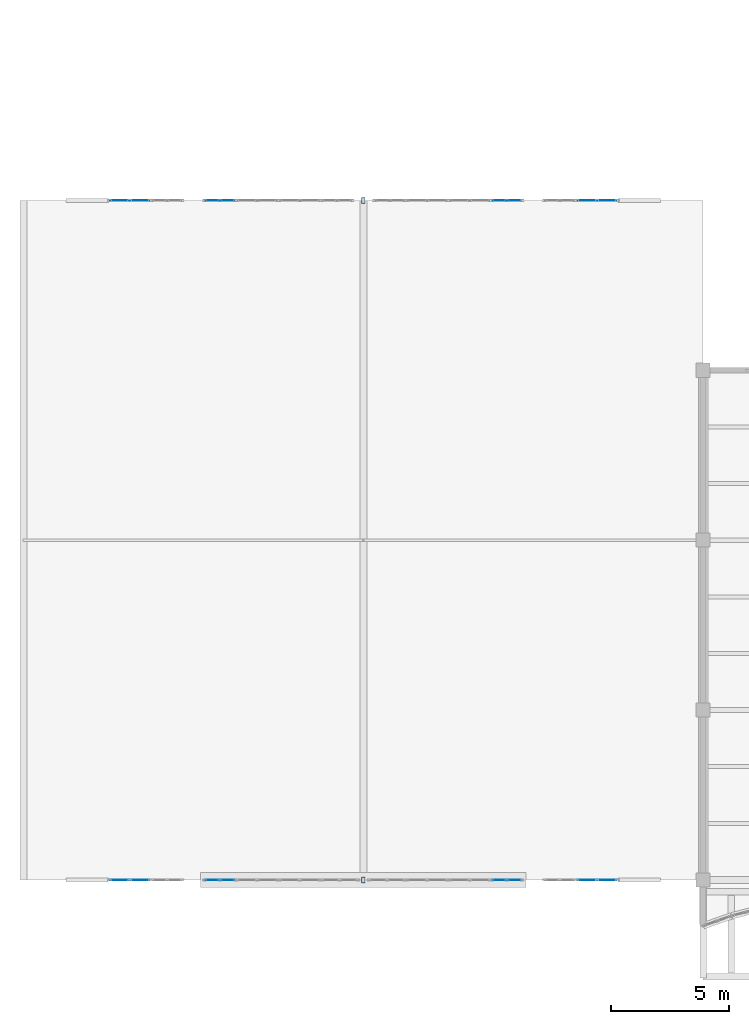
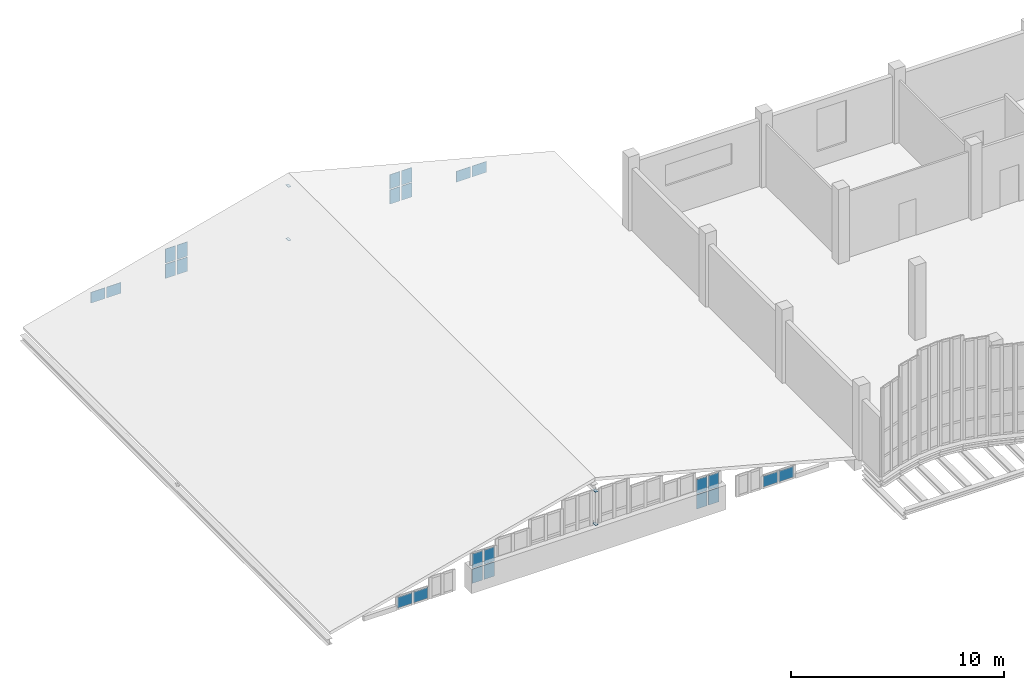
# One storey, part 62 of 76: 28 plates, 8 elements without a shape of their own.
"""IFC4 building model written with IfcOpenShell, lengths in metres."""

from ifc_helpers import new_model, si_unit, direction, frame, origin, origin_2d, place, context, subcontext, project, spatial, rectangle, extrude, material, layer, layer_set, type_object, element, aggregate, save


model = new_model("IFC4")

# Units and contexts
model_context = context("Model", 3, precision=1e-05, world=origin(), true_north=direction((0.0, 1.0)))
body_context = subcontext(model_context, "Body", "Model", "MODEL_VIEW")
ifc_project = project(units=[si_unit("LENGTHUNIT", "METRE"), si_unit("AREAUNIT", "SQUARE_METRE"), si_unit("VOLUMEUNIT", "CUBIC_METRE"), si_unit("PLANEANGLEUNIT", "RADIAN"), si_unit("MASSUNIT", "GRAM", prefix="KILO"), si_unit("THERMODYNAMICTEMPERATUREUNIT", "KELVIN"), si_unit("POWERUNIT", "WATT")], contexts=[model_context])

# Site, building, storey
site_placement = place(None, origin())
site = spatial("IfcSite", under=ifc_project, at=site_placement, CompositionType="ELEMENT")
building_placement = place(site_placement, origin())
building = spatial("IfcBuilding", under=site, at=building_placement, Name="Kaldorven Railside Theatre", CompositionType="ELEMENT")
storey_placement = place(building_placement, frame((0.0, 0.0, 14.39990234375)))
storey = spatial("IfcBuildingStorey", under=building, at=storey_placement, Name="L03", CompositionType="ELEMENT", Elevation=14.39990234375)

# Curtain wall, plates
ifc_material_1 = material(Name="Low-E laminated solar-control glass", Category="glass")
ifc_layer_1 = layer(ifc_material_1, 0.159912109375, Name="Low-E laminated solar-control glass")
ifc_layer_set_1 = layer_set([ifc_layer_1], Name="Low-E laminated solar-control glass")
curtain_wall_type_1 = type_object("IfcCurtainWallType", Name="CWT-60", PredefinedType="USERDEFINED", material=ifc_layer_set_1)
curtain_wall_1_placement = place(storey_placement, origin())
curtain_wall_1 = element("IfcCurtainWall", 1, at=curtain_wall_1_placement, inside=storey, type_object=curtain_wall_type_1, Name="Studio South Gable Clerestory CWG-112", ObjectType="FLUTED GLAZING", PredefinedType="USERDEFINED")
ifc_layer_2 = layer(ifc_material_1, 0.028076171875, Name="Low-E laminated solar-control glass")
ifc_layer_set_2 = layer_set([ifc_layer_2], Name="Low-E laminated solar-control glass")
plate_type_1 = type_object("IfcPlateType", Name="CWP-GLZ28", PredefinedType="CURTAIN_PANEL", material=ifc_layer_set_2)
plate_1_placement = place(storey_placement, frame((12.070068359375, 19.199951171875, 0.080078125), z_axis=(0.0, 0.0, 1.0), x_axis=(1.0, 0.0, 0.0)))
plate_1 = element("IfcPlate", 2, at=plate_1_placement, type_object=plate_type_1, Name="CWG-112 panel 1.1", PredefinedType="CURTAIN_PANEL", context=body_context, shape_type="SweptSolid", body=[
    extrude(rectangle(XDim=0.780029296875, YDim=0.028076171875, at=origin_2d()), origin(), (0.0, 0.0, 1.0), 0.6201171875),
])
plate_2_placement = place(storey_placement, frame((12.929931640625, 19.199951171875, 0.080078125), z_axis=(0.0, 0.0, 1.0), x_axis=(1.0, 0.0, 0.0)))
plate_2 = element("IfcPlate", 3, at=plate_2_placement, type_object=plate_type_1, Name="CWG-112 panel 2.1", PredefinedType="CURTAIN_PANEL", context=body_context, shape_type="SweptSolid", body=[
    extrude(rectangle(XDim=0.780029296875, YDim=0.028076171875, at=origin_2d()), origin(), (0.0, 0.0, 1.0), 0.6201171875),
])
aggregate(curtain_wall_1, [plate_1, plate_2])

ifc_layer_3 = layer(ifc_material_1, 0.159912109375, Name="Low-E laminated solar-control glass")
ifc_layer_set_3 = layer_set([ifc_layer_3], Name="Low-E laminated solar-control glass")
curtain_wall_type_2 = type_object("IfcCurtainWallType", Name="CWT-62", PredefinedType="USERDEFINED", material=ifc_layer_set_3)
curtain_wall_2_placement = place(storey_placement, origin())
curtain_wall_2 = element("IfcCurtainWall", 4, at=curtain_wall_2_placement, inside=storey, type_object=curtain_wall_type_2, Name="Studio South Gable Clerestory CWG-114", ObjectType="FLUTED GLAZING", PredefinedType="USERDEFINED")
plate_3_placement = place(storey_placement, frame((16.0, 19.199951171875, 0.080078125), z_axis=(0.0, 0.0, 1.0), x_axis=(1.0, 0.0, 0.0)))
plate_3 = element("IfcPlate", 5, at=plate_3_placement, type_object=plate_type_1, Name="CWG-114 panel 1.1", PredefinedType="CURTAIN_PANEL", context=body_context, shape_type="SweptSolid", body=[
    extrude(rectangle(XDim=0.56005859375, YDim=0.028076171875, at=origin_2d()), origin(), (0.0, 0.0, 1.0), 0.81494140625),
])
plate_4_placement = place(storey_placement, frame((16.0, 19.199951171875, 0.955078125), z_axis=(0.0, 0.0, 1.0), x_axis=(1.0, 0.0, 0.0)))
plate_4 = element("IfcPlate", 6, at=plate_4_placement, type_object=plate_type_1, Name="CWG-114 panel 1.2", PredefinedType="CURTAIN_PANEL", context=body_context, shape_type="SweptSolid", body=[
    extrude(rectangle(XDim=0.56005859375, YDim=0.028076171875, at=origin_2d()), origin(), (0.0, 0.0, 1.0), 0.81494140625),
])
plate_5_placement = place(storey_placement, frame((16.639892578125, 19.199951171875, 0.080078125), z_axis=(0.0, 0.0, 1.0), x_axis=(1.0, 0.0, 0.0)))
plate_5 = element("IfcPlate", 7, at=plate_5_placement, type_object=plate_type_1, Name="CWG-114 panel 2.1", PredefinedType="CURTAIN_PANEL", context=body_context, shape_type="SweptSolid", body=[
    extrude(rectangle(XDim=0.56005859375, YDim=0.028076171875, at=origin_2d()), origin(), (0.0, 0.0, 1.0), 0.81494140625),
])
plate_6_placement = place(storey_placement, frame((16.639892578125, 19.199951171875, 0.955078125), z_axis=(0.0, 0.0, 1.0), x_axis=(1.0, 0.0, 0.0)))
plate_6 = element("IfcPlate", 8, at=plate_6_placement, type_object=plate_type_1, Name="CWG-114 panel 2.2", PredefinedType="CURTAIN_PANEL", context=body_context, shape_type="SweptSolid", body=[
    extrude(rectangle(XDim=0.56005859375, YDim=0.028076171875, at=origin_2d()), origin(), (0.0, 0.0, 1.0), 0.81494140625),
])
aggregate(curtain_wall_2, [plate_3, plate_4, plate_5, plate_6])

curtain_wall_3_placement = place(storey_placement, origin())
curtain_wall_3 = element("IfcCurtainWall", 9, at=curtain_wall_3_placement, inside=storey, type_object=curtain_wall_type_2, Name="Studio South Gable Clerestory CWG-121", ObjectType="FLUTED GLAZING", PredefinedType="USERDEFINED")
plate_7_placement = place(storey_placement, frame((28.159912109375, 19.199951171875, 0.080078125), z_axis=(0.0, 0.0, 1.0), x_axis=(1.0, 0.0, 0.0)))
plate_7 = element("IfcPlate", 10, at=plate_7_placement, type_object=plate_type_1, Name="CWG-121 panel 1.1", PredefinedType="CURTAIN_PANEL", context=body_context, shape_type="SweptSolid", body=[
    extrude(rectangle(XDim=0.56005859375, YDim=0.028076171875, at=origin_2d()), origin(), (0.0, 0.0, 1.0), 0.81494140625),
])
plate_8_placement = place(storey_placement, frame((28.159912109375, 19.199951171875, 0.955078125), z_axis=(0.0, 0.0, 1.0), x_axis=(1.0, 0.0, 0.0)))
plate_8 = element("IfcPlate", 11, at=plate_8_placement, type_object=plate_type_1, Name="CWG-121 panel 1.2", PredefinedType="CURTAIN_PANEL", context=body_context, shape_type="SweptSolid", body=[
    extrude(rectangle(XDim=0.56005859375, YDim=0.028076171875, at=origin_2d()), origin(), (0.0, 0.0, 1.0), 0.81494140625),
])
plate_9_placement = place(storey_placement, frame((28.800048828125, 19.199951171875, 0.080078125), z_axis=(0.0, 0.0, 1.0), x_axis=(1.0, 0.0, 0.0)))
plate_9 = element("IfcPlate", 12, at=plate_9_placement, type_object=plate_type_1, Name="CWG-121 panel 2.1", PredefinedType="CURTAIN_PANEL", context=body_context, shape_type="SweptSolid", body=[
    extrude(rectangle(XDim=0.56005859375, YDim=0.028076171875, at=origin_2d()), origin(), (0.0, 0.0, 1.0), 0.81494140625),
])
plate_10_placement = place(storey_placement, frame((28.800048828125, 19.199951171875, 0.955078125), z_axis=(0.0, 0.0, 1.0), x_axis=(1.0, 0.0, 0.0)))
plate_10 = element("IfcPlate", 13, at=plate_10_placement, type_object=plate_type_1, Name="CWG-121 panel 2.2", PredefinedType="CURTAIN_PANEL", context=body_context, shape_type="SweptSolid", body=[
    extrude(rectangle(XDim=0.56005859375, YDim=0.028076171875, at=origin_2d()), origin(), (0.0, 0.0, 1.0), 0.81494140625),
])
aggregate(curtain_wall_3, [plate_7, plate_8, plate_9, plate_10])

curtain_wall_4_placement = place(storey_placement, origin())
curtain_wall_4 = element("IfcCurtainWall", 14, at=curtain_wall_4_placement, inside=storey, type_object=curtain_wall_type_1, Name="Studio South Gable Clerestory CWG-123", ObjectType="FLUTED GLAZING", PredefinedType="USERDEFINED")
plate_11_placement = place(storey_placement, frame((31.8701171875, 19.199951171875, 0.080078125), z_axis=(0.0, 0.0, 1.0), x_axis=(1.0, 0.0, 0.0)))
plate_11 = element("IfcPlate", 15, at=plate_11_placement, type_object=plate_type_1, Name="CWG-123 panel 1.1", PredefinedType="CURTAIN_PANEL", context=body_context, shape_type="SweptSolid", body=[
    extrude(rectangle(XDim=0.780029296875, YDim=0.028076171875, at=origin_2d()), origin(), (0.0, 0.0, 1.0), 0.6201171875),
])
plate_12_placement = place(storey_placement, frame((32.72998046875, 19.199951171875, 0.080078125), z_axis=(0.0, 0.0, 1.0), x_axis=(1.0, 0.0, 0.0)))
plate_12 = element("IfcPlate", 16, at=plate_12_placement, type_object=plate_type_1, Name="CWG-123 panel 2.1", PredefinedType="CURTAIN_PANEL", context=body_context, shape_type="SweptSolid", body=[
    extrude(rectangle(XDim=0.780029296875, YDim=0.028076171875, at=origin_2d()), origin(), (0.0, 0.0, 1.0), 0.6201171875),
])
aggregate(curtain_wall_4, [plate_11, plate_12])

curtain_wall_5_placement = place(storey_placement, origin())
curtain_wall_5 = element("IfcCurtainWall", 17, at=curtain_wall_5_placement, inside=storey, type_object=curtain_wall_type_1, Name="Studio North Gable Clerestory CWG-126", ObjectType="FLUTED GLAZING", PredefinedType="USERDEFINED")
plate_13_placement = place(storey_placement, frame((12.070068359375, 48.0, 0.080078125), z_axis=(0.0, 0.0, 1.0), x_axis=(1.0, 0.0, 0.0)))
plate_13 = element("IfcPlate", 18, at=plate_13_placement, type_object=plate_type_1, Name="CWG-126 panel 1.1", PredefinedType="CURTAIN_PANEL", context=body_context, shape_type="SweptSolid", body=[
    extrude(rectangle(XDim=0.780029296875, YDim=0.028076171875, at=origin_2d()), origin(), (0.0, 0.0, 1.0), 0.6201171875),
])
plate_14_placement = place(storey_placement, frame((12.929931640625, 48.0, 0.080078125), z_axis=(0.0, 0.0, 1.0), x_axis=(1.0, 0.0, 0.0)))
plate_14 = element("IfcPlate", 19, at=plate_14_placement, type_object=plate_type_1, Name="CWG-126 panel 2.1", PredefinedType="CURTAIN_PANEL", context=body_context, shape_type="SweptSolid", body=[
    extrude(rectangle(XDim=0.780029296875, YDim=0.028076171875, at=origin_2d()), origin(), (0.0, 0.0, 1.0), 0.6201171875),
])
aggregate(curtain_wall_5, [plate_13, plate_14])

curtain_wall_6_placement = place(storey_placement, origin())
curtain_wall_6 = element("IfcCurtainWall", 20, at=curtain_wall_6_placement, inside=storey, type_object=curtain_wall_type_2, Name="Studio North Gable Clerestory CWG-128", ObjectType="FLUTED GLAZING", PredefinedType="USERDEFINED")
plate_15_placement = place(storey_placement, frame((16.0, 48.0, 0.080078125), z_axis=(0.0, 0.0, 1.0), x_axis=(1.0, 0.0, 0.0)))
plate_15 = element("IfcPlate", 21, at=plate_15_placement, type_object=plate_type_1, Name="CWG-128 panel 1.1", PredefinedType="CURTAIN_PANEL", context=body_context, shape_type="SweptSolid", body=[
    extrude(rectangle(XDim=0.56005859375, YDim=0.028076171875, at=origin_2d()), origin(), (0.0, 0.0, 1.0), 0.81494140625),
])
plate_16_placement = place(storey_placement, frame((16.0, 48.0, 0.955078125), z_axis=(0.0, 0.0, 1.0), x_axis=(1.0, 0.0, 0.0)))
plate_16 = element("IfcPlate", 22, at=plate_16_placement, type_object=plate_type_1, Name="CWG-128 panel 1.2", PredefinedType="CURTAIN_PANEL", context=body_context, shape_type="SweptSolid", body=[
    extrude(rectangle(XDim=0.56005859375, YDim=0.028076171875, at=origin_2d()), origin(), (0.0, 0.0, 1.0), 0.81494140625),
])
plate_17_placement = place(storey_placement, frame((16.639892578125, 48.0, 0.080078125), z_axis=(0.0, 0.0, 1.0), x_axis=(1.0, 0.0, 0.0)))
plate_17 = element("IfcPlate", 23, at=plate_17_placement, type_object=plate_type_1, Name="CWG-128 panel 2.1", PredefinedType="CURTAIN_PANEL", context=body_context, shape_type="SweptSolid", body=[
    extrude(rectangle(XDim=0.56005859375, YDim=0.028076171875, at=origin_2d()), origin(), (0.0, 0.0, 1.0), 0.81494140625),
])
plate_18_placement = place(storey_placement, frame((16.639892578125, 48.0, 0.955078125), z_axis=(0.0, 0.0, 1.0), x_axis=(1.0, 0.0, 0.0)))
plate_18 = element("IfcPlate", 24, at=plate_18_placement, type_object=plate_type_1, Name="CWG-128 panel 2.2", PredefinedType="CURTAIN_PANEL", context=body_context, shape_type="SweptSolid", body=[
    extrude(rectangle(XDim=0.56005859375, YDim=0.028076171875, at=origin_2d()), origin(), (0.0, 0.0, 1.0), 0.81494140625),
])
aggregate(curtain_wall_6, [plate_15, plate_16, plate_17, plate_18])

curtain_wall_7_placement = place(storey_placement, origin())
curtain_wall_7 = element("IfcCurtainWall", 25, at=curtain_wall_7_placement, inside=storey, type_object=curtain_wall_type_2, Name="Studio North Gable Clerestory CWG-135", ObjectType="FLUTED GLAZING", PredefinedType="USERDEFINED")
plate_19_placement = place(storey_placement, frame((28.159912109375, 48.0, 0.080078125), z_axis=(0.0, 0.0, 1.0), x_axis=(1.0, 0.0, 0.0)))
plate_19 = element("IfcPlate", 26, at=plate_19_placement, type_object=plate_type_1, Name="CWG-135 panel 1.1", PredefinedType="CURTAIN_PANEL", context=body_context, shape_type="SweptSolid", body=[
    extrude(rectangle(XDim=0.56005859375, YDim=0.028076171875, at=origin_2d()), origin(), (0.0, 0.0, 1.0), 0.81494140625),
])
plate_20_placement = place(storey_placement, frame((28.159912109375, 48.0, 0.955078125), z_axis=(0.0, 0.0, 1.0), x_axis=(1.0, 0.0, 0.0)))
plate_20 = element("IfcPlate", 27, at=plate_20_placement, type_object=plate_type_1, Name="CWG-135 panel 1.2", PredefinedType="CURTAIN_PANEL", context=body_context, shape_type="SweptSolid", body=[
    extrude(rectangle(XDim=0.56005859375, YDim=0.028076171875, at=origin_2d()), origin(), (0.0, 0.0, 1.0), 0.81494140625),
])
plate_21_placement = place(storey_placement, frame((28.800048828125, 48.0, 0.080078125), z_axis=(0.0, 0.0, 1.0), x_axis=(1.0, 0.0, 0.0)))
plate_21 = element("IfcPlate", 28, at=plate_21_placement, type_object=plate_type_1, Name="CWG-135 panel 2.1", PredefinedType="CURTAIN_PANEL", context=body_context, shape_type="SweptSolid", body=[
    extrude(rectangle(XDim=0.56005859375, YDim=0.028076171875, at=origin_2d()), origin(), (0.0, 0.0, 1.0), 0.81494140625),
])
plate_22_placement = place(storey_placement, frame((28.800048828125, 48.0, 0.955078125), z_axis=(0.0, 0.0, 1.0), x_axis=(1.0, 0.0, 0.0)))
plate_22 = element("IfcPlate", 29, at=plate_22_placement, type_object=plate_type_1, Name="CWG-135 panel 2.2", PredefinedType="CURTAIN_PANEL", context=body_context, shape_type="SweptSolid", body=[
    extrude(rectangle(XDim=0.56005859375, YDim=0.028076171875, at=origin_2d()), origin(), (0.0, 0.0, 1.0), 0.81494140625),
])
aggregate(curtain_wall_7, [plate_19, plate_20, plate_21, plate_22])

curtain_wall_8_placement = place(storey_placement, origin())
curtain_wall_8 = element("IfcCurtainWall", 30, at=curtain_wall_8_placement, inside=storey, type_object=curtain_wall_type_1, Name="Studio North Gable Clerestory CWG-137", ObjectType="FLUTED GLAZING", PredefinedType="USERDEFINED")
plate_23_placement = place(storey_placement, frame((31.8701171875, 48.0, 0.080078125), z_axis=(0.0, 0.0, 1.0), x_axis=(1.0, 0.0, 0.0)))
plate_23 = element("IfcPlate", 31, at=plate_23_placement, type_object=plate_type_1, Name="CWG-137 panel 1.1", PredefinedType="CURTAIN_PANEL", context=body_context, shape_type="SweptSolid", body=[
    extrude(rectangle(XDim=0.780029296875, YDim=0.028076171875, at=origin_2d()), origin(), (0.0, 0.0, 1.0), 0.6201171875),
])
plate_24_placement = place(storey_placement, frame((32.72998046875, 48.0, 0.080078125), z_axis=(0.0, 0.0, 1.0), x_axis=(1.0, 0.0, 0.0)))
plate_24 = element("IfcPlate", 32, at=plate_24_placement, type_object=plate_type_1, Name="CWG-137 panel 2.1", PredefinedType="CURTAIN_PANEL", context=body_context, shape_type="SweptSolid", body=[
    extrude(rectangle(XDim=0.780029296875, YDim=0.028076171875, at=origin_2d()), origin(), (0.0, 0.0, 1.0), 0.6201171875),
])
aggregate(curtain_wall_8, [plate_23, plate_24])

# Plates
ifc_material_2 = material(Name="Steel S355", Category="steel")
ifc_layer_4 = layer(ifc_material_2, 0.011962890625, Name="Steel S355")
ifc_layer_set_4 = layer_set([ifc_layer_4], Name="Steel S355")
plate_type_2 = type_object("IfcPlateType", Name="PLT-CAP-12", PredefinedType="USERDEFINED", material=ifc_layer_set_4)
for number, where, z_axis, x_axis, name in (
    (33, (22.39990234375, 19.199951171875, 1.14013671875), (0.0, 0.0, 1.0), (1.0, 0.0, 0.0), "End cap gusset plate PL-0317"),
    (34, (22.39990234375, 19.199951171875, 3.0537109375), (0.0, 0.0, 1.0), (1.0, 0.0, 0.0), "End cap gusset plate PL-0318"),
    (35, (22.39990234375, 48.0, -0.009765625), (0.0, 0.0, 1.0), (1.0, 0.0, 0.0), "End cap gusset plate PL-0319"),
    (36, (22.39990234375, 48.0, 3.0537109375), (0.0, 0.0, 1.0), (1.0, 0.0, 0.0), "End cap gusset plate PL-0320"),
):
    element("IfcPlate", number, at=place(storey_placement, frame(where, z_axis=z_axis, x_axis=x_axis)), inside=storey, type_object=plate_type_2, Name=name, ObjectType="CAP PLATE", PredefinedType="USERDEFINED", context=body_context, shape_type="SweptSolid", body=[
        extrude(rectangle(XDim=0.159912109375, YDim=0.260009765625, at=origin_2d()), origin(), (0.0, 0.0, 1.0), 0.011962890625),
    ])

save(model, "model.ifc")
